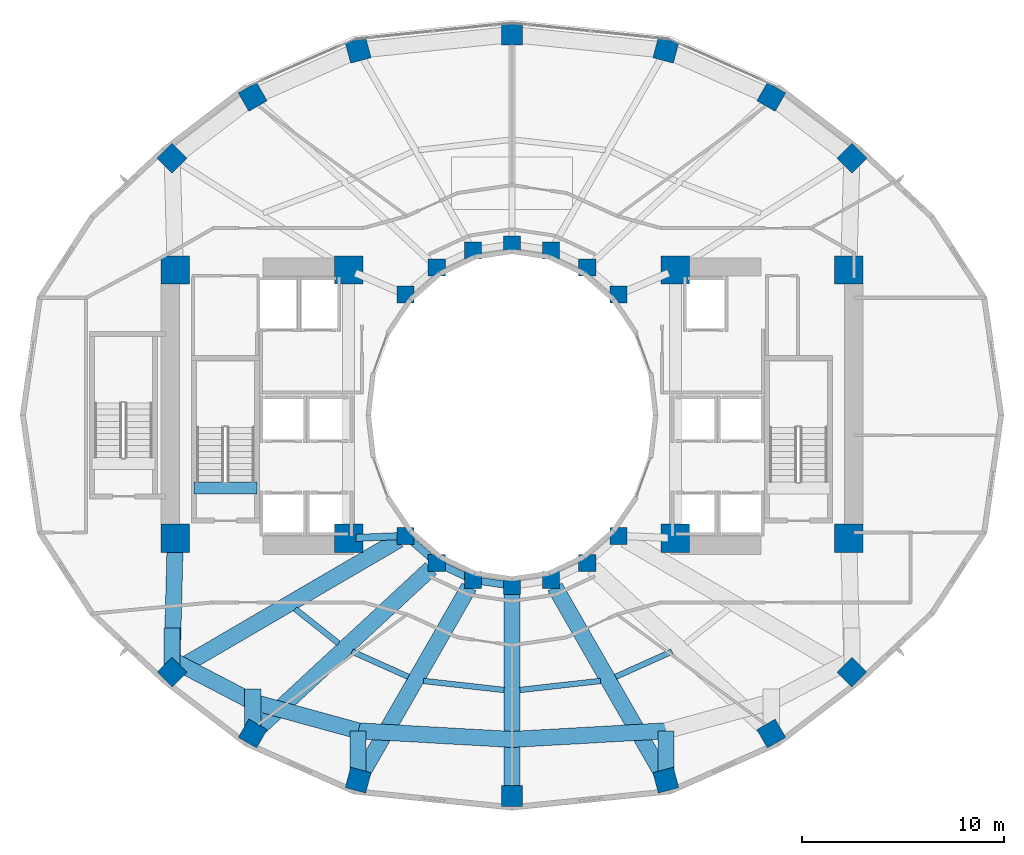
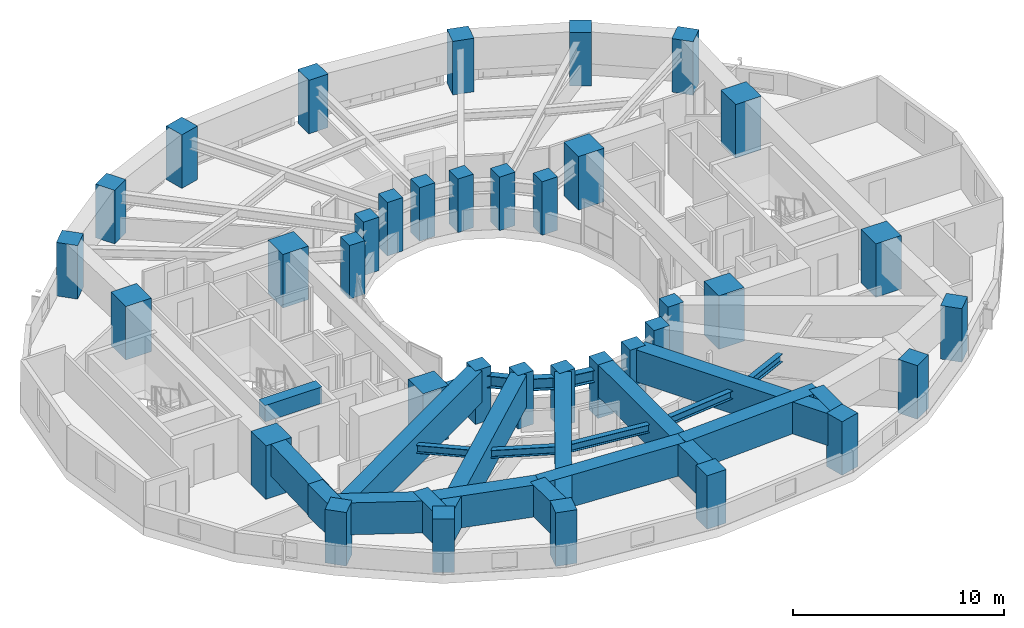
# One storey, part 1 of 19: 36 columns, 24 beams.
"""IFC4 building model written with IfcOpenShell, lengths in metres."""

from ifc_helpers import new_model, si_unit, direction, frame, origin, origin_2d, place, context, subcontext, project, spatial, rectangle, i_section, extrude, material, material_profile, profile_set, type_object, element, save


model = new_model("IFC4")

# Units and contexts
model_context = context("Model", 3, precision=1e-05, world=origin(), true_north=direction((0.0, 1.0)))
body_context = subcontext(model_context, "Body", "Model", "MODEL_VIEW")
ifc_project = project(units=[si_unit("LENGTHUNIT", "METRE"), si_unit("AREAUNIT", "SQUARE_METRE"), si_unit("VOLUMEUNIT", "CUBIC_METRE"), si_unit("PLANEANGLEUNIT", "RADIAN"), si_unit("MASSUNIT", "GRAM", prefix="KILO")], contexts=[model_context])

# Site, building, storey
site_placement = place(None, origin())
site = spatial("IfcSite", under=ifc_project, at=site_placement, CompositionType="ELEMENT")
building_placement = place(site_placement, origin())
building = spatial("IfcBuilding", under=site, at=building_placement, Name="Solvane Sanctuary Tower", CompositionType="ELEMENT")
storey_placement = place(building_placement, frame((0.0, 0.0, 73.199951171875)))
storey = spatial("IfcBuildingStorey", under=building, at=storey_placement, Name="L21", CompositionType="ELEMENT", Elevation=73.199951171875)

# Columns
ifc_material_1 = material(Name="Concrete C70/85", Category="concrete")
ifc_material_profile_1 = material_profile(ifc_material_1, rectangle(XDim=1.39990234375, YDim=1.39990234375, at=origin_2d()), Name="RC1400X1400")
ifc_profile_set_1 = profile_set([ifc_material_profile_1], Name="Concrete C70/85")
column_type_1 = type_object("IfcColumnType", Name="Column C-POD-INT RC1400X1400", PredefinedType="COLUMN", material=ifc_profile_set_1)
for number, where, z_axis, x_axis, name in (
    (1, (15.300048828125, 16.89990234375, 0.0), (0.0, 0.0, 1.0), (1.0, 0.0, 0.0), "L21 Core Corner Column CW1"),
    (2, (23.89990234375, 16.89990234375, 0.0), (0.0, 0.0, 1.0), (1.0, 0.0, 0.0), "L21 Core Corner Column CW2"),
    (3, (23.89990234375, 30.199951171875, 0.0), (0.0, 0.0, 1.0), (1.0, 0.0, 0.0), "L21 Core Corner Column CW3"),
    (4, (15.300048828125, 30.199951171875, 0.0), (0.0, 0.0, 1.0), (1.0, 0.0, 0.0), "L21 Core Corner Column CW4"),
    (5, (40.10009765625, 16.89990234375, 0.0), (0.0, 0.0, 1.0), (1.0, 0.0, 0.0), "L21 Core Corner Column CE1"),
    (6, (48.699951171875, 16.89990234375, 0.0), (0.0, 0.0, 1.0), (1.0, 0.0, 0.0), "L21 Core Corner Column CE2"),
    (7, (48.699951171875, 30.199951171875, 0.0), (0.0, 0.0, 1.0), (1.0, 0.0, 0.0), "L21 Core Corner Column CE3"),
    (8, (40.10009765625, 30.199951171875, 0.0), (0.0, 0.0, 1.0), (1.0, 0.0, 0.0), "L21 Core Corner Column CE4"),
):
    element("IfcColumn", number, at=place(storey_placement, frame(where, z_axis=z_axis, x_axis=x_axis)), inside=storey, type_object=column_type_1, Name=name, PredefinedType="COLUMN", context=body_context, shape_type="SweptSolid", body=[
        extrude(rectangle(XDim=1.39990234375, YDim=1.39990234375, at=origin_2d()), origin(), (0.0, 0.0, 1.0), 3.10009765625),
    ])
ifc_material_2 = material(Name="Concrete C60/75", Category="concrete")
ifc_material_profile_2 = material_profile(ifc_material_2, rectangle(XDim=0.85009765625, YDim=0.85009765625, at=origin_2d()), Name="RC850X850")
ifc_profile_set_2 = profile_set([ifc_material_profile_2], Name="Concrete C60/75")
column_type_2 = type_object("IfcColumnType", Name="Column C-RING-Z2 RC850X850", PredefinedType="COLUMN", material=ifc_profile_set_2)
for number, where, z_axis, x_axis, name in (
    (9, (37.27490234375, 28.982177734375, 0.0), (0.0, 0.0, 1.0), (1.0, 0.0, 0.0), "L21 Inner Light-Well Ring Column IC01"),
    (10, (35.72998046875, 30.32666015625, 0.0), (0.0, 0.0, 1.0), (1.0, 0.0, 0.0), "L21 Inner Light-Well Ring Column IC02"),
    (11, (33.930908203125, 31.171630859375, 0.0), (0.0, 0.0, 1.0), (1.0, 0.0, 0.0), "L21 Inner Light-Well Ring Column IC03"),
    (12, (32.0, 31.4599609375, 0.0), (0.0, 0.0, 1.0), (1.0, 0.0, 0.0), "L21 Inner Light-Well Ring Column IC04"),
    (13, (30.069091796875, 31.171630859375, 0.0), (0.0, 0.0, 1.0), (1.0, 0.0, 0.0), "L21 Inner Light-Well Ring Column IC05"),
    (14, (28.27001953125, 30.32666015625, 0.0), (0.0, 0.0, 1.0), (1.0, 0.0, 0.0), "L21 Inner Light-Well Ring Column IC06"),
    (15, (26.72509765625, 28.982177734375, 0.0), (0.0, 0.0, 1.0), (1.0, 0.0, 0.0), "L21 Inner Light-Well Ring Column IC07"),
    (16, (26.72509765625, 17.017822265625, 0.0), (0.0, 0.0, 1.0), (1.0, 0.0, 0.0), "L21 Inner Light-Well Ring Column IC08"),
    (17, (28.27001953125, 15.67333984375, 0.0), (0.0, 0.0, 1.0), (1.0, 0.0, 0.0), "L21 Inner Light-Well Ring Column IC09"),
    (18, (30.069091796875, 14.828369140625, 0.0), (0.0, 0.0, 1.0), (1.0, 0.0, 0.0), "L21 Inner Light-Well Ring Column IC10"),
    (19, (32.0, 14.5400390625, 0.0), (0.0, 0.0, 1.0), (1.0, 0.0, 0.0), "L21 Inner Light-Well Ring Column IC11"),
    (20, (33.930908203125, 14.828369140625, 0.0), (0.0, 0.0, 1.0), (1.0, 0.0, 0.0), "L21 Inner Light-Well Ring Column IC12"),
    (21, (35.72998046875, 15.67333984375, 0.0), (0.0, 0.0, 1.0), (1.0, 0.0, 0.0), "L21 Inner Light-Well Ring Column IC13"),
    (22, (37.27490234375, 17.017822265625, 0.0), (0.0, 0.0, 1.0), (1.0, 0.0, 0.0), "L21 Inner Light-Well Ring Column IC14"),
):
    element("IfcColumn", number, at=place(storey_placement, frame(where, z_axis=z_axis, x_axis=x_axis)), inside=storey, type_object=column_type_2, Name=name, PredefinedType="COLUMN", context=body_context, shape_type="SweptSolid", body=[
        extrude(rectangle(XDim=0.85009765625, YDim=0.85009765625, at=origin_2d()), origin(), (0.0, 0.0, 1.0), 3.10009765625),
    ])
ifc_material_profile_3 = material_profile(ifc_material_2, rectangle(XDim=1.050048828125, YDim=1.050048828125, at=origin_2d()), Name="RC1050X1050")
ifc_profile_set_3 = profile_set([ifc_material_profile_3], Name="Concrete C60/75")
column_type_3 = type_object("IfcColumnType", Name="Column C-TUBE-Z2 RC1050X1050", PredefinedType="COLUMN", material=ifc_profile_set_3)
for number, where, z_axis, x_axis, name in (
    (23, (48.85302734375, 35.742919921875, 0.0), (0.0, 0.0, 1.0), (0.707106781187, 0.707106781187, 0.0), "L21 Perimeter Tube Column TC01"),
    (24, (44.8583984375, 38.7861328125, 0.0), (0.0, 0.0, 1.0), (0.5, 0.866025403784, 0.0), "L21 Perimeter Tube Column TC02"),
    (25, (39.62939453125, 41.10009765625, 0.0), (0.0, 0.0, 1.0), (0.258819045103, 0.965925826289, 0.0), "L21 Perimeter Tube Column TC03"),
    (26, (32.0, 41.8798828125, 0.0), (0.0, 0.0, 1.0), (0.0, 1.0, 0.0), "L21 Perimeter Tube Column TC04"),
    (27, (24.37060546875, 41.10009765625, 0.0), (0.0, 0.0, 1.0), (-0.258819045103, 0.965925826289, 0.0), "L21 Perimeter Tube Column TC05"),
    (28, (19.1416015625, 38.7861328125, 0.0), (0.0, 0.0, 1.0), (-0.5, 0.866025403784, 0.0), "L21 Perimeter Tube Column TC06"),
    (29, (15.14697265625, 35.742919921875, 0.0), (0.0, 0.0, 1.0), (-0.707106781187, 0.707106781187, 0.0), "L21 Perimeter Tube Column TC07"),
    (30, (15.14697265625, 10.257080078125, 0.0), (0.0, 0.0, 1.0), (-0.707106781187, -0.707106781187, 0.0), "L21 Perimeter Tube Column TC08"),
    (31, (19.1416015625, 7.2138671875, 0.0), (0.0, 0.0, 1.0), (-0.5, -0.866025403784, 0.0), "L21 Perimeter Tube Column TC09"),
    (32, (24.37060546875, 4.89990234375, 0.0), (0.0, 0.0, 1.0), (-0.258819045103, -0.965925826289, 0.0), "L21 Perimeter Tube Column TC10"),
    (33, (32.0, 4.1201171875, 0.0), (0.0, 0.0, 1.0), (0.0, -1.0, 0.0), "L21 Perimeter Tube Column TC11"),
    (34, (39.62939453125, 4.89990234375, 0.0), (0.0, 0.0, 1.0), (0.258819045103, -0.965925826289, 0.0), "L21 Perimeter Tube Column TC12"),
    (35, (44.8583984375, 7.2138671875, 0.0), (0.0, 0.0, 1.0), (0.5, -0.866025403784, 0.0), "L21 Perimeter Tube Column TC13"),
    (36, (48.85302734375, 10.257080078125, 0.0), (0.0, 0.0, 1.0), (0.707106781187, -0.707106781187, 0.0), "L21 Perimeter Tube Column TC14"),
):
    element("IfcColumn", number, at=place(storey_placement, frame(where, z_axis=z_axis, x_axis=x_axis)), inside=storey, type_object=column_type_3, Name=name, PredefinedType="COLUMN", context=body_context, shape_type="SweptSolid", body=[
        extrude(rectangle(XDim=1.050048828125, YDim=1.050048828125, at=origin_2d()), origin(), (0.0, 0.0, 1.0), 3.10009765625),
    ])

# Beams
ifc_material_profile_4 = material_profile(ifc_material_1, rectangle(XDim=0.60009765625, YDim=0.949951171875, at=origin_2d()), Name="RC600X950")
ifc_profile_set_4 = profile_set([ifc_material_profile_4], Name="Concrete C70/85")
beam_type_1 = type_object("IfcBeamType", Name="Beam B-COUPLE RC600X950", PredefinedType="LINTEL", material=ifc_profile_set_4)
beam_1_placement = place(storey_placement, frame((16.22998046875, 19.399169921875, 2.625), z_axis=(1.0, 0.0, 0.0), x_axis=(0.0, 1.0, 0.0)))
element("IfcBeam", 37, at=beam_1_placement, inside=storey, type_object=beam_type_1, Name="L21 ST-1 Stair Floor Landing Trimmer", PredefinedType="LINTEL", context=body_context, shape_type="SweptSolid", body=[
    extrude(rectangle(XDim=0.60009765625, YDim=0.949951171875, at=origin_2d()), origin(), (0.0, 0.0, 1.0), 3.1201171875),
])
ifc_material_3 = material(Name="Steel ASTM A992 Grade 50", Category="steel")
ifc_material_profile_5 = material_profile(ifc_material_3, i_section(OverallWidth=0.35498046875, OverallDepth=0.695068359375, WebThickness=0.015380859375, FlangeThickness=0.02490234375, FilletRadius=0.01806640625, at=origin_2d()), Name="W27X146")
ifc_profile_set_5 = profile_set([ifc_material_profile_5], Name="Steel ASTM A992 Grade 50")
beam_type_2 = type_object("IfcBeamType", Name="Beam B-RING-IN1 W27X146", PredefinedType="BEAM", material=ifc_profile_set_5)
beam_2_placement = place(storey_placement, frame((24.259765625, 16.9150390625, 2.25048828125), z_axis=(0.999130007788, 0.041704047018, 0.0), x_axis=(-0.041704047018, 0.999130007788, 0.0)))
element("IfcBeam", 38, at=beam_2_placement, inside=storey, type_object=beam_type_2, Name="L21 Inner Light-Well Ring Beam CW2-IC08", PredefinedType="BEAM", context=body_context, shape_type="SweptSolid", body=[
    extrude(i_section(OverallWidth=0.35498046875, OverallDepth=0.695068359375, WebThickness=0.015380859375, FlangeThickness=0.02490234375, FilletRadius=0.01806640625, at=origin_2d()), origin(), (0.0, 0.0, 1.0), 2.072265625),
])
beam_3_placement = place(storey_placement, frame((27.02294921875, 16.758544921875, 2.25048828125), z_axis=(0.754317177099, -0.656510164684, 0.0), x_axis=(0.656510164684, 0.754317177099, 0.0)))
element("IfcBeam", 39, at=beam_3_placement, inside=storey, type_object=beam_type_2, Name="L21 Inner Light-Well Ring Beam IC08-IC09", PredefinedType="BEAM", context=body_context, shape_type="SweptSolid", body=[
    extrude(i_section(OverallWidth=0.35498046875, OverallDepth=0.695068359375, WebThickness=0.015380859375, FlangeThickness=0.02490234375, FilletRadius=0.01806640625, at=origin_2d()), origin(), (0.0, 0.0, 1.0), 1.258056640625),
])
beam_4_placement = place(storey_placement, frame((28.62744140625, 15.505615234375, 2.25048828125), z_axis=(0.905044882818, -0.425316070804, 0.0), x_axis=(0.425316070804, 0.905044882818, 0.0)))
element("IfcBeam", 40, at=beam_4_placement, inside=storey, type_object=beam_type_2, Name="L21 Inner Light-Well Ring Beam IC09-IC10", PredefinedType="BEAM", context=body_context, shape_type="SweptSolid", body=[
    extrude(i_section(OverallWidth=0.35498046875, OverallDepth=0.695068359375, WebThickness=0.015380859375, FlangeThickness=0.02490234375, FilletRadius=0.01806640625, at=origin_2d()), origin(), (0.0, 0.0, 1.0), 1.197998046875),
])
beam_5_placement = place(storey_placement, frame((30.4599609375, 14.77001953125, 2.25048828125), z_axis=(0.989034751611, -0.147682971619, 0.0), x_axis=(0.147682971619, 0.989034751611, 0.0)))
element("IfcBeam", 41, at=beam_5_placement, inside=storey, type_object=beam_type_2, Name="L21 Inner Light-Well Ring Beam IC10-IC11", PredefinedType="BEAM", context=body_context, shape_type="SweptSolid", body=[
    extrude(i_section(OverallWidth=0.35498046875, OverallDepth=0.695068359375, WebThickness=0.015380859375, FlangeThickness=0.02490234375, FilletRadius=0.01806640625, at=origin_2d()), origin(), (0.0, 0.0, 1.0), 1.162109375),
])
ifc_material_profile_6 = material_profile(ifc_material_3, i_section(OverallWidth=0.280029296875, OverallDepth=0.462890625, WebThickness=0.0107421875, FlangeThickness=0.017333984375, FilletRadius=0.013916015625, at=origin_2d()), Name="W18X76")
ifc_profile_set_6 = profile_set([ifc_material_profile_6], Name="Steel ASTM A992 Grade 50")
beam_type_3 = type_object("IfcBeamType", Name="Beam B-SEC-JOIST W18X76", PredefinedType="JOIST", material=ifc_profile_set_6)
beam_6_placement = place(storey_placement, frame((21.24560546875, 13.392333984375, 2.366455078125), z_axis=(0.783906859924, -0.620878438153, 0.0), x_axis=(0.620878438153, 0.783906859924, 0.0)))
element("IfcBeam", 42, at=beam_6_placement, inside=storey, type_object=beam_type_3, Name="L21 Secondary Circumferential Joist 08-09", PredefinedType="JOIST", context=body_context, shape_type="SweptSolid", body=[
    extrude(i_section(OverallWidth=0.280029296875, OverallDepth=0.462890625, WebThickness=0.0107421875, FlangeThickness=0.017333984375, FilletRadius=0.013916015625, at=origin_2d()), origin(), (0.0, 0.0, 1.0), 2.743408203125),
])
beam_7_placement = place(storey_placement, frame((24.066162109375, 11.28173828125, 2.366455078125), z_axis=(0.912097423757, -0.409973523019, 0.0), x_axis=(0.409973523019, 0.912097423757, 0.0)))
element("IfcBeam", 43, at=beam_7_placement, inside=storey, type_object=beam_type_3, Name="L21 Secondary Circumferential Joist 09-10", PredefinedType="JOIST", context=body_context, shape_type="SweptSolid", body=[
    extrude(i_section(OverallWidth=0.280029296875, OverallDepth=0.462890625, WebThickness=0.0107421875, FlangeThickness=0.017333984375, FilletRadius=0.013916015625, at=origin_2d()), origin(), (0.0, 0.0, 1.0), 3.062744140625),
])
for number, where, z_axis, x_axis, name in (
    (44, (27.612548828125, 9.8203125, 2.366455078125), (0.993810933944, -0.111084776519, 0.0), (0.111084776519, 0.993810933944, 0.0), "L21 Secondary Circumferential Joist 10-11"),
    (45, (32.392578125, 9.373779296875, 2.366455078125), (0.993810933944, 0.111084776519, 0.0), (-0.111084776519, 0.993810933944, 0.0), "L21 Secondary Circumferential Joist 11-12"),
):
    element("IfcBeam", number, at=place(storey_placement, frame(where, z_axis=z_axis, x_axis=x_axis)), inside=storey, type_object=beam_type_3, Name=name, PredefinedType="JOIST", context=body_context, shape_type="SweptSolid", body=[
        extrude(i_section(OverallWidth=0.280029296875, OverallDepth=0.462890625, WebThickness=0.0107421875, FlangeThickness=0.017333984375, FilletRadius=0.013916015625, at=origin_2d()), origin(), (0.0, 0.0, 1.0), 4.019775390625),
    ])
beam_8_placement = place(storey_placement, frame((37.140380859375, 10.026123046875, 2.366455078125), z_axis=(0.912097423757, 0.409973523019, 0.0), x_axis=(-0.409973523019, 0.912097423757, 0.0)))
element("IfcBeam", 46, at=beam_8_placement, inside=storey, type_object=beam_type_3, Name="L21 Secondary Circumferential Joist 12-13", PredefinedType="JOIST", context=body_context, shape_type="SweptSolid", body=[
    extrude(i_section(OverallWidth=0.280029296875, OverallDepth=0.462890625, WebThickness=0.0107421875, FlangeThickness=0.017333984375, FilletRadius=0.013916015625, at=origin_2d()), origin(), (0.0, 0.0, 1.0), 3.062744140625),
])
ifc_material_profile_7 = material_profile(ifc_material_1, rectangle(XDim=0.800048828125, YDim=1.85009765625, at=origin_2d()), Name="RC800X1850")
ifc_profile_set_7 = profile_set([ifc_material_profile_7], Name="Concrete C70/85")
beam_type_4 = type_object("IfcBeamType", Name="Beam B-XFER-BLK RC800X1850", PredefinedType="BEAM", material=ifc_profile_set_7)
beam_9_placement = place(storey_placement, frame((26.3837890625, 16.818603515625, 2.175048828125), z_axis=(-0.863561803877, -0.504243007771, 0.0), x_axis=(0.504243007771, -0.863561803877, 0.0)))
element("IfcBeam", 47, at=beam_9_placement, inside=storey, type_object=beam_type_4, Name="L21 Block-Shift Radial Transfer Girder 08A", PredefinedType="BEAM", context=body_context, shape_type="SweptSolid", body=[
    extrude(rectangle(XDim=0.800048828125, YDim=1.85009765625, at=origin_2d()), origin(), (0.0, 0.0, 1.0), 12.567138671875),
])
beam_10_placement = place(storey_placement, frame((15.14697265625, 10.30712890625, 2.175048828125), z_axis=(0.0, 1.0, 0.0), x_axis=(-1.0, 0.0, 0.0)))
element("IfcBeam", 48, at=beam_10_placement, inside=storey, type_object=beam_type_4, Name="L21 Block-Shift Transfer Tie 08B", PredefinedType="BEAM", context=body_context, shape_type="SweptSolid", body=[
    extrude(rectangle(XDim=0.800048828125, YDim=1.85009765625, at=origin_2d()), origin(), (0.0, 0.0, 1.0), 2.150146484375),
])
beam_11_placement = place(storey_placement, frame((27.980224609375, 15.40478515625, 2.175048828125), z_axis=(-0.733470457191, -0.679721331449, 0.0), x_axis=(0.679721331449, -0.733470457191, 0.0)))
element("IfcBeam", 49, at=beam_11_placement, inside=storey, type_object=beam_type_4, Name="L21 Block-Shift Radial Transfer Girder 09A", PredefinedType="BEAM", context=body_context, shape_type="SweptSolid", body=[
    extrude(rectangle(XDim=0.800048828125, YDim=1.85009765625, at=origin_2d()), origin(), (0.0, 0.0, 1.0), 11.60546875),
])
beam_12_placement = place(storey_placement, frame((19.1416015625, 7.263916015625, 2.175048828125), z_axis=(0.0, 1.0, 0.0), x_axis=(-1.0, 0.0, 0.0)))
element("IfcBeam", 50, at=beam_12_placement, inside=storey, type_object=beam_type_4, Name="L21 Block-Shift Transfer Tie 09B", PredefinedType="BEAM", context=body_context, shape_type="SweptSolid", body=[
    extrude(rectangle(XDim=0.800048828125, YDim=1.85009765625, at=origin_2d()), origin(), (0.0, 0.0, 1.0), 2.14990234375),
])
beam_13_placement = place(storey_placement, frame((29.87255859375, 14.485595703125, 2.175048828125), z_axis=(-0.497811096762, -0.867285484682, 0.0), x_axis=(0.867285484682, -0.497811096762, 0.0)))
element("IfcBeam", 51, at=beam_13_placement, inside=storey, type_object=beam_type_4, Name="L21 Block-Shift Radial Transfer Girder 10A", PredefinedType="BEAM", context=body_context, shape_type="SweptSolid", body=[
    extrude(rectangle(XDim=0.800048828125, YDim=1.85009765625, at=origin_2d()), origin(), (0.0, 0.0, 1.0), 10.607421875),
])
beam_14_placement = place(storey_placement, frame((24.37060546875, 4.949951171875, 2.175048828125), z_axis=(0.0, 1.0, 0.0), x_axis=(-1.0, 0.0, 0.0)))
element("IfcBeam", 52, at=beam_14_placement, inside=storey, type_object=beam_type_4, Name="L21 Block-Shift Transfer Tie 10B", PredefinedType="BEAM", context=body_context, shape_type="SweptSolid", body=[
    extrude(rectangle(XDim=0.800048828125, YDim=1.85009765625, at=origin_2d()), origin(), (0.0, 0.0, 1.0), 2.39794921875),
])
beam_15_placement = place(storey_placement, frame((32.0, 14.14501953125, 2.175048828125), z_axis=(0.0, -1.0, 0.0), x_axis=(1.0, 0.0, 0.0)))
element("IfcBeam", 53, at=beam_15_placement, inside=storey, type_object=beam_type_4, Name="L21 Block-Shift Radial Transfer Girder 11A", PredefinedType="BEAM", context=body_context, shape_type="SweptSolid", body=[
    extrude(rectangle(XDim=0.800048828125, YDim=1.85009765625, at=origin_2d()), origin(), (0.0, 0.0, 1.0), 9.6201171875),
])
beam_16_placement = place(storey_placement, frame((34.12744140625, 14.485595703125, 2.175048828125), z_axis=(0.497811096762, -0.867285484682, 0.0), x_axis=(0.867285484682, 0.497811096762, 0.0)))
element("IfcBeam", 54, at=beam_16_placement, inside=storey, type_object=beam_type_4, Name="L21 Block-Shift Radial Transfer Girder 12A", PredefinedType="BEAM", context=body_context, shape_type="SweptSolid", body=[
    extrude(rectangle(XDim=0.800048828125, YDim=1.85009765625, at=origin_2d()), origin(), (0.0, 0.0, 1.0), 10.607421875),
])
beam_17_placement = place(storey_placement, frame((39.62939453125, 4.949951171875, 2.175048828125), z_axis=(0.0, 1.0, 0.0), x_axis=(-1.0, 0.0, 0.0)))
element("IfcBeam", 55, at=beam_17_placement, inside=storey, type_object=beam_type_4, Name="L21 Block-Shift Transfer Tie 12B", PredefinedType="BEAM", context=body_context, shape_type="SweptSolid", body=[
    extrude(rectangle(XDim=0.800048828125, YDim=1.85009765625, at=origin_2d()), origin(), (0.0, 0.0, 1.0), 2.39794921875),
])
beam_18_placement = place(storey_placement, frame((15.291015625, 16.5400390625, 2.175048828125), z_axis=(-0.025359457149, -0.999678397252, 0.0), x_axis=(0.999678397252, -0.025359457149, 0.0)))
element("IfcBeam", 56, at=beam_18_placement, inside=storey, type_object=beam_type_4, Name="L21 Perimeter Step Transfer Ring CW1-NTC08", PredefinedType="BEAM", context=body_context, shape_type="SweptSolid", body=[
    extrude(rectangle(XDim=0.800048828125, YDim=1.85009765625, at=origin_2d()), origin(), (0.0, 0.0, 1.0), 5.679931640625),
])
beam_19_placement = place(storey_placement, frame((15.14697265625, 10.86181640625, 2.175048828125), z_axis=(0.887022336415, -0.46172651505, 0.0), x_axis=(0.46172651505, 0.887022336415, 0.0)))
element("IfcBeam", 57, at=beam_19_placement, inside=storey, type_object=beam_type_4, Name="L21 Perimeter Step Transfer Ring NTC08-NTC09", PredefinedType="BEAM", context=body_context, shape_type="SweptSolid", body=[
    extrude(rectangle(XDim=0.800048828125, YDim=1.85009765625, at=origin_2d()), origin(), (0.0, 0.0, 1.0), 4.50341796875),
])
beam_20_placement = place(storey_placement, frame((19.1416015625, 8.782470703125, 2.175048828125), z_axis=(0.964365802426, -0.264572483661, 0.0), x_axis=(0.264572483661, 0.964365802426, 0.0)))
element("IfcBeam", 58, at=beam_20_placement, inside=storey, type_object=beam_type_4, Name="L21 Perimeter Step Transfer Ring NTC09-NTC10", PredefinedType="BEAM", context=body_context, shape_type="SweptSolid", body=[
    extrude(rectangle(XDim=0.800048828125, YDim=1.85009765625, at=origin_2d()), origin(), (0.0, 0.0, 1.0), 5.422119140625),
])
for number, where, z_axis, x_axis, name in (
    (59, (24.37060546875, 7.347900390625, 2.175048828125), (0.998430322971, -0.056007947397, 0.0), (0.056007947397, 0.998430322971, 0.0), "L21 Perimeter Step Transfer Ring NTC10-NTC11"),
    (60, (32.0, 6.919921875, 2.175048828125), (0.998430322971, 0.056007947397, 0.0), (-0.056007947397, 0.998430322971, 0.0), "L21 Perimeter Step Transfer Ring NTC11-NTC12"),
):
    element("IfcBeam", number, at=place(storey_placement, frame(where, z_axis=z_axis, x_axis=x_axis)), inside=storey, type_object=beam_type_4, Name=name, PredefinedType="BEAM", context=body_context, shape_type="SweptSolid", body=[
        extrude(rectangle(XDim=0.800048828125, YDim=1.85009765625, at=origin_2d()), origin(), (0.0, 0.0, 1.0), 7.641357421875),
    ])

save(model, "model.ifc")
